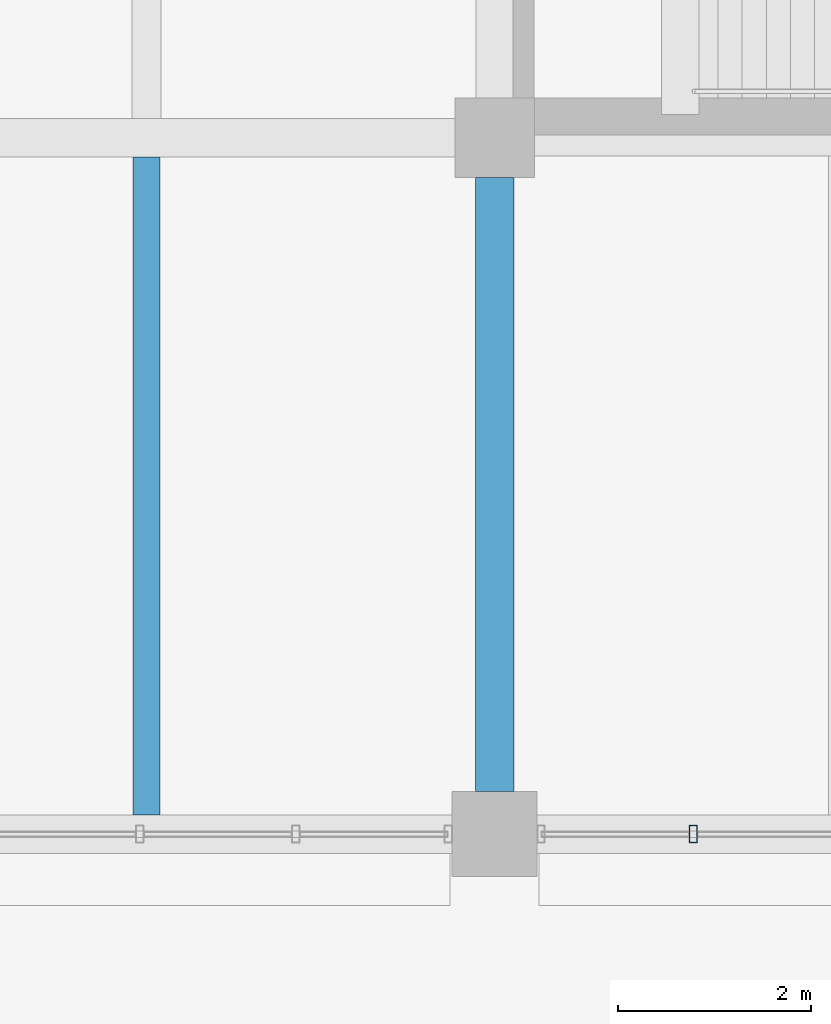
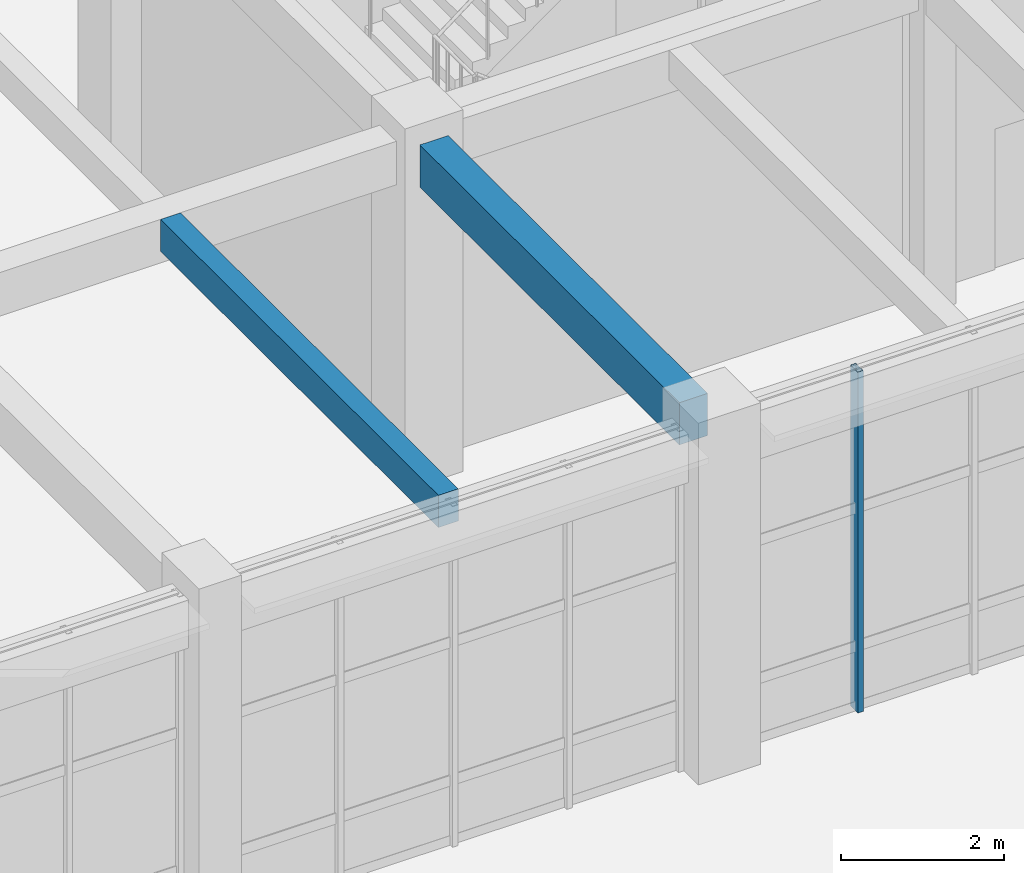
# One storey, part 63 of 160: 2 beams, 1 member, 1 element without a shape of its own.
"""IFC4 building model written with IfcOpenShell, lengths in metres."""

from ifc_helpers import new_model, si_unit, direction, frame, origin, origin_2d, place, context, subcontext, project, spatial, rectangle, hollow_rectangle, extrude, material, material_profile, profile_set, type_object, element, aggregate, save


model = new_model("IFC4")

# Units and contexts
model_context = context("Model", 3, precision=1e-05, world=origin(), true_north=direction((0.0, 1.0)))
body_context = subcontext(model_context, "Body", "Model", "MODEL_VIEW")
ifc_project = project(units=[si_unit("LENGTHUNIT", "METRE"), si_unit("AREAUNIT", "SQUARE_METRE"), si_unit("VOLUMEUNIT", "CUBIC_METRE"), si_unit("PLANEANGLEUNIT", "RADIAN"), si_unit("MASSUNIT", "GRAM", prefix="KILO")], contexts=[model_context])

# Site, building, storey
site_placement = place(None, origin())
site = spatial("IfcSite", under=ifc_project, at=site_placement, CompositionType="ELEMENT")
building_placement = place(site_placement, origin())
building = spatial("IfcBuilding", under=site, at=building_placement, Name="Thalmaran Polytechnic", CompositionType="ELEMENT")
storey_placement = place(building_placement, origin())
storey = spatial("IfcBuildingStorey", under=building, at=storey_placement, Name="L00", CompositionType="ELEMENT", Elevation=0.0)

# Beams
ifc_material_1 = material(Name="Concrete C40/50", Category="concrete")
ifc_material_profile_1 = material_profile(ifc_material_1, rectangle(XDim=0.39990234375, YDim=0.6298828125, at=origin_2d()), Name="RC 400x630")
ifc_profile_set_1 = profile_set([ifc_material_profile_1], Name="Concrete C40/50")
beam_type_1 = type_object("IfcBeamType", Name="BM-RC07", PredefinedType="BEAM", material=ifc_profile_set_1)
beam_1_placement = place(storey_placement, frame((57.60009765625, 94.0400390625, 4.77490234375), z_axis=(0.0, 1.0, 0.0), x_axis=(-1.0, 0.0, 0.0)))
element("IfcBeam", 1, at=beam_1_placement, inside=storey, type_object=beam_type_1, Name="Grid Beam B07 L00 Y(8,13)", PredefinedType="BEAM", context=body_context, shape_type="SweptSolid", body=[
    extrude(rectangle(XDim=0.39990234375, YDim=0.6298828125, at=origin_2d()), origin(), (0.0, 0.0, 1.0), 6.349853515625),
])
ifc_material_profile_2 = material_profile(ifc_material_1, rectangle(XDim=0.280029296875, YDim=0.47998046875, at=origin_2d()), Name="RC 280x480")
ifc_profile_set_2 = profile_set([ifc_material_profile_2], Name="Concrete C40/50")
beam_type_2 = type_object("IfcBeamType", Name="BM-ZJ01", PredefinedType="JOIST", material=ifc_profile_set_2)
beam_2_placement = place(storey_placement, frame((54.0, 93.800048828125, 4.85009765625), z_axis=(0.0, 1.0, 0.0), x_axis=(-1.0, 0.0, 0.0)))
element("IfcBeam", 2, at=beam_2_placement, inside=storey, type_object=beam_type_2, Name="Secondary Floor Rib ZJ01 L00 (7,13)", PredefinedType="JOIST", context=body_context, shape_type="SweptSolid", body=[
    extrude(rectangle(XDim=0.280029296875, YDim=0.47998046875, at=origin_2d()), origin(), (0.0, 0.0, 1.0), 6.800048828125),
])

# Curtain wall, member
ifc_material_2 = material(Name="Aluminium 6063-T6", Category="aluminium")
curtain_wall_type = type_object("IfcCurtainWallType", Name="CW-UC01", PredefinedType="USERDEFINED", material=ifc_material_2)
curtain_wall_placement = place(storey_placement, origin())
curtain_wall = element("IfcCurtainWall", 3, at=curtain_wall_placement, inside=storey, type_object=curtain_wall_type, Name="Curtain Wall CW-L00-017", ObjectType="UNITISED CURTAIN WALL", PredefinedType="USERDEFINED")
ifc_material_profile_3 = material_profile(ifc_material_2, hollow_rectangle(XDim=0.080078125, YDim=0.179931640625, WallThickness=0.0048828125, at=origin_2d()), Name="RHS 180x80x5.0")
ifc_profile_set_3 = profile_set([ifc_material_profile_3], Name="Aluminium 6063-T6")
member_type = type_object("IfcMemberType", Name="CW-MUL1", PredefinedType="MULLION", material=ifc_profile_set_3)
member_placement = place(storey_placement, frame((59.655029296875, 93.60009765625, 0.0), z_axis=(0.0, 0.0, 1.0), x_axis=(1.0, 0.0, 0.0)))
member = element("IfcMember", 4, at=member_placement, type_object=member_type, Name="CW-L00-017 Mullion 4", PredefinedType="MULLION", context=body_context, shape_type="SweptSolid", body=[
    extrude(hollow_rectangle(XDim=0.080078125, YDim=0.179931640625, WallThickness=0.0048828125, at=origin_2d()), origin(), (0.0, 0.0, 1.0), 5.090087890625),
])
aggregate(curtain_wall, [member])

save(model, "model.ifc")
